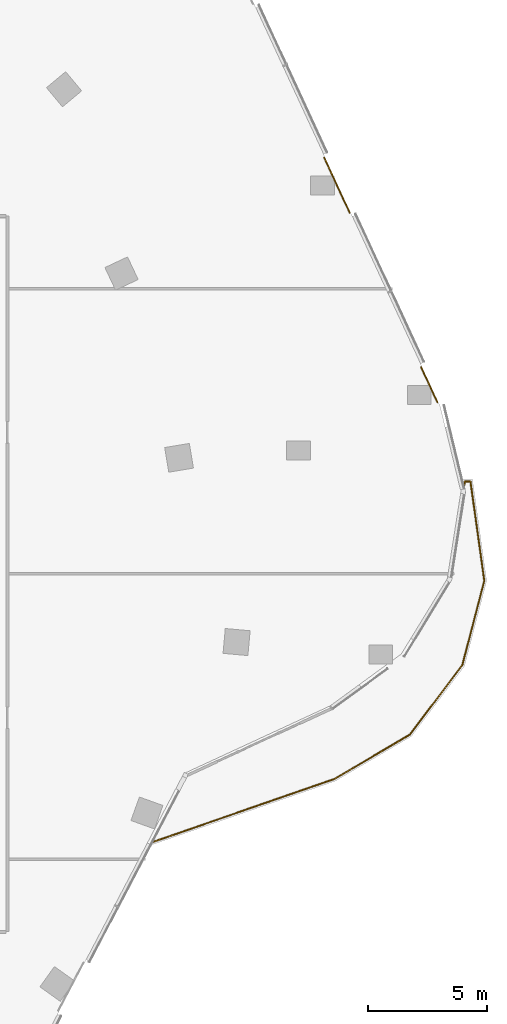
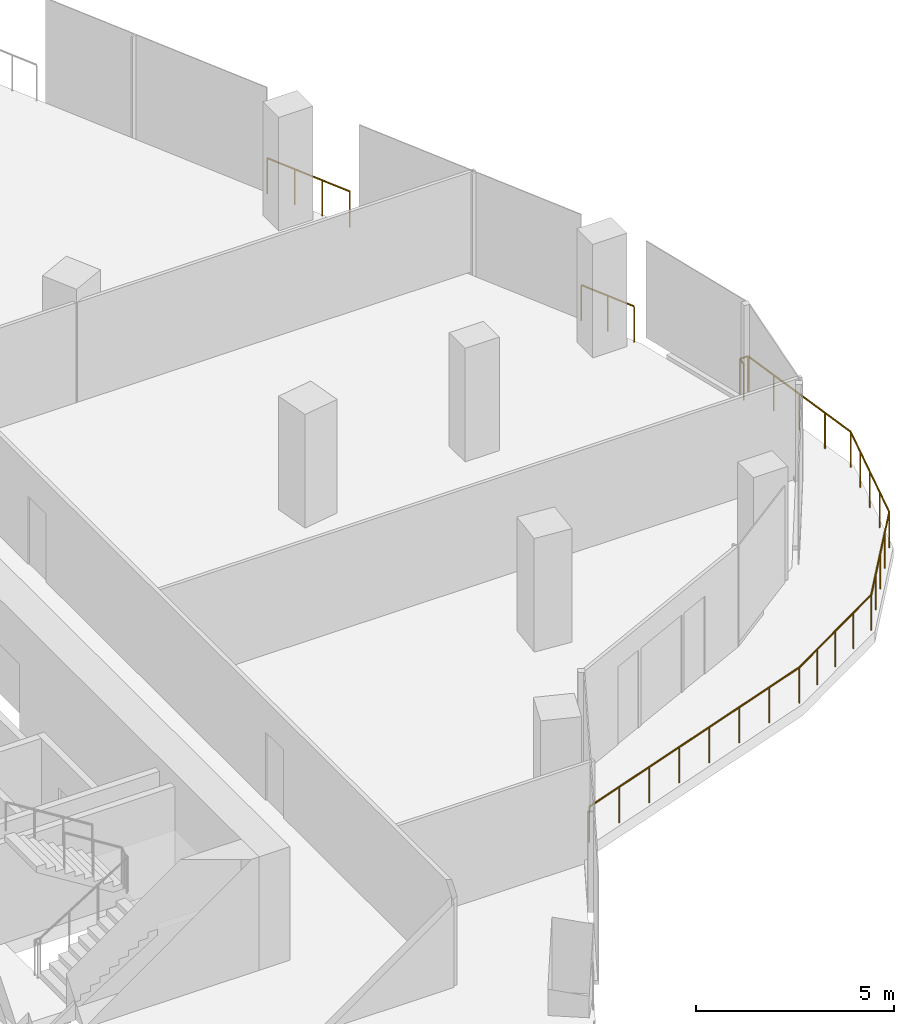
# One storey, part 25 of 26: 4 railings.
"""IFC4 building model written with IfcOpenShell, lengths in metres."""

import ifcopenshell
import ifcopenshell.guid

model = None  # the IFC model being written
_history = None  # IfcOwnerHistory: only IFC2X3 demands one
_inside = {}  # id of a spatial element -> (the spatial element, [elements in it])
_under = {}  # id of a project, library or spatial element -> (it, [spatial elements below it])
_declared = {}  # id of a project -> (the project, [libraries it declares])
_typed = {}  # id of a type object -> (the type object, [elements of that type])
_made_of = {}  # id of a material, layer set ... -> (it, [elements and type objects made of it])


def new_model(schema):
    """Start an empty IFC model of exactly this schema.

    Asked for "IFC4X3", IfcOpenShell would pick the latest addendum, in which some entities
    have other attributes; the version numbers below select the first issue.
    IFC2X3 requires an IfcOwnerHistory on every rooted entity: one is made here for all.
    """
    global model, _history
    if schema == "IFC4X3":
        model = ifcopenshell.file(schema_version=(4, 3, 0, 0))
    else:
        model = ifcopenshell.file(schema=schema)
    _inside.clear()
    _under.clear()
    _declared.clear()
    _typed.clear()
    _made_of.clear()
    _history = None
    if model.schema == "IFC2X3":
        org = make("IfcOrganization", Name="unknown")
        user = make(
            "IfcPersonAndOrganization",
            ThePerson=make("IfcPerson", FamilyName="unknown"),
            TheOrganization=org,
        )
        app = make(
            "IfcApplication",
            ApplicationDeveloper=org,
            Version="unknown",
            ApplicationFullName="unknown",
            ApplicationIdentifier="unknown",
        )
        _history = make(
            "IfcOwnerHistory",
            OwningUser=user,
            OwningApplication=app,
            ChangeAction="ADDED",
            CreationDate=0,
        )
    return model


def make(cls, **values):
    """One entity of the class cls with the attributes given. An attribute that is None is left unset."""
    return model.create_entity(
        cls, **{name: value for name, value in values.items() if value is not None}
    )


def rooted(cls, **values):
    """An entity with a GlobalId (a new one), such as an element, a storey or a relation."""
    return make(cls, GlobalId=ifcopenshell.guid.new(), OwnerHistory=_history, **values)


def si_unit(unit_type, name, prefix=None):
    """IfcSIUnit, for example si_unit("LENGTHUNIT", "METRE", prefix="MILLI")."""
    return make("IfcSIUnit", UnitType=unit_type, Prefix=prefix, Name=name)


def assignment(units):
    """IfcUnitAssignment: the units of a project."""
    return None if units is None else make("IfcUnitAssignment", Units=units)


def point(xyz):
    """IfcCartesianPoint."""
    return None if xyz is None else make("IfcCartesianPoint", Coordinates=xyz)


def direction(xyz):
    """IfcDirection."""
    return None if xyz is None else make("IfcDirection", DirectionRatios=xyz)


def frame(location, z_axis=None, x_axis=None):
    """IfcAxis2Placement3D, a coordinate frame: its origin and axes. An axis left out is left unset."""
    return make(
        "IfcAxis2Placement3D",
        Location=point(location),
        Axis=direction(z_axis),
        RefDirection=direction(x_axis),
    )


def frame_2d(location, x_axis=None):
    """IfcAxis2Placement2D, a coordinate frame in the plane: its origin and x axis."""
    return make(
        "IfcAxis2Placement2D", Location=point(location), RefDirection=direction(x_axis)
    )


def origin():
    """The frame at (0, 0, 0) with its axes left unset."""
    return frame((0.0, 0.0, 0.0))


def origin_2d():
    """The frame at (0, 0) in the plane with its x axis left unset."""
    return frame_2d((0.0, 0.0))


def place(relative_to, where):
    """IfcLocalPlacement: puts the frame where relative to a parent placement (None: the world)."""
    return make(
        "IfcLocalPlacement", PlacementRelTo=relative_to, RelativePlacement=where
    )


def context(
    kind, dimensions, precision=None, world=None, true_north=None, identifier=None
):
    """IfcGeometricRepresentationContext, for example the 3D "Model" context."""
    return make(
        "IfcGeometricRepresentationContext",
        ContextIdentifier=identifier,
        ContextType=kind,
        CoordinateSpaceDimension=dimensions,
        Precision=precision,
        WorldCoordinateSystem=world,
        TrueNorth=true_north,
    )


def subcontext(parent, identifier, kind, view, scale=None):
    """IfcGeometricRepresentationSubContext, for example "Body" below "Model"."""
    return make(
        "IfcGeometricRepresentationSubContext",
        ContextIdentifier=identifier,
        ContextType=kind,
        ParentContext=parent,
        TargetScale=scale,
        TargetView=view,
    )


def project(units=None, contexts=None):
    """IfcProject with its units and contexts."""
    return rooted(
        "IfcProject",
        Name="project",
        RepresentationContexts=contexts,
        UnitsInContext=assignment(units),
    )


def spatial(cls, under=None, at=None, **own):
    """A site, building, storey or space (cls), placed at a placement, below another one or the project."""
    s = rooted(cls, ObjectPlacement=at, **own)
    if under is not None:
        _under.setdefault(under.id(), (under, []))[1].append(s)
    return s


def profile(cls, at=None, kind="AREA", **sizes):
    """A parametric profile (cls). Its sizes go by their IFC names, for example OverallWidth=200.0."""
    return make(cls, ProfileType=kind, Position=at, **sizes)


def circle(**sizes):
    """IfcCircleProfileDef."""
    return profile("IfcCircleProfileDef", **sizes)


def extrude(swept, where, along, depth):
    """IfcExtrudedAreaSolid: the profile swept, set in the frame where, extruded along a direction by depth."""
    return make(
        "IfcExtrudedAreaSolid",
        SweptArea=swept,
        Position=where,
        ExtrudedDirection=direction(along),
        Depth=depth,
    )


def shape(context_of_items, identifier, shape_type, items):
    """IfcShapeRepresentation: the items that make up one representation, for example the "Body"."""
    return make(
        "IfcShapeRepresentation",
        ContextOfItems=context_of_items,
        RepresentationIdentifier=identifier,
        RepresentationType=shape_type,
        Items=items,
    )


def material(Name=None, Category=None):
    """IfcMaterial."""
    return make("IfcMaterial", Name=Name, Category=Category)


def made_of(thing, what):
    """Note that an element or type object is made of a material, layer set ...; save() writes the relation."""
    if what is not None:
        _made_of.setdefault(what.id(), (what, []))[1].append(thing)
    return thing


def type_object(cls, material=None, **own):
    """A type object (cls), such as IfcWallType, which elements share."""
    return made_of(rooted(cls, **own), material)


def element(
    cls,
    number,
    at=None,
    inside=None,
    cuts=None,
    type_object=None,
    material=None,
    context=None,
    identifier="Body",
    shape_type=None,
    held_by="IfcProductDefinitionShape",
    body=None,
    shapes=None,
    **own,
):
    """One element of the class cls, such as IfcWall. Its Tag is "e" and its number.

    at: its placement. inside: the storey or other place that contains it. cuts: it is an
    opening in that element (IfcRelVoidsElement). A single representation is given by context,
    identifier, shape_type and body (its items); several are given by shapes. held_by: the class
    of the entity that holds the representations. save() writes the other relations.
    """
    e = rooted(cls, Tag="e%d" % number, ObjectPlacement=at, **own)
    if body is not None:
        shapes = [shape(context, identifier, shape_type, body)]
    if shapes is not None:
        e.Representation = make(held_by, Representations=shapes)
    if inside is not None:
        _inside.setdefault(inside.id(), (inside, []))[1].append(e)
    if cuts is not None:
        rooted(
            "IfcRelVoidsElement", RelatingBuildingElement=cuts, RelatedOpeningElement=e
        )
    if type_object is not None:
        _typed.setdefault(type_object.id(), (type_object, []))[1].append(e)
    return made_of(e, material)


def aggregate(whole, parts):
    """IfcRelAggregates: a whole, such as a stair, and the parts it consists of."""
    return rooted("IfcRelAggregates", RelatingObject=whole, RelatedObjects=parts)


def save(model, path):
    """Write the relations noted so far, then the file.

    IfcRelAggregates (storeys below a building ...), IfcRelContainedInSpatialStructure (elements
    in a storey), IfcRelDefinesByType, IfcRelAssociatesMaterial and IfcRelDeclares: one each for
    every whole, place, type object, material and project.
    """
    for whole, parts in _under.values():
        aggregate(whole, parts)
    for where, things in _inside.values():
        rooted(
            "IfcRelContainedInSpatialStructure",
            RelatedElements=things,
            RelatingStructure=where,
        )
    for kind, things in _typed.values():
        rooted("IfcRelDefinesByType", RelatedObjects=things, RelatingType=kind)
    for what, things in _made_of.values():
        rooted("IfcRelAssociatesMaterial", RelatedObjects=things, RelatingMaterial=what)
    for by, libraries in _declared.values():
        rooted("IfcRelDeclares", RelatingContext=by, RelatedDefinitions=libraries)
    model.write(path)


model = new_model("IFC4")

# Units and contexts
model_context = context("Model", 3, precision=1e-05, world=origin(), true_north=direction((0.0, 1.0)))
body_context = subcontext(model_context, "Body", "Model", "MODEL_VIEW")
ifc_project = project(units=[si_unit("LENGTHUNIT", "METRE"), si_unit("AREAUNIT", "SQUARE_METRE"), si_unit("VOLUMEUNIT", "CUBIC_METRE"), si_unit("PLANEANGLEUNIT", "RADIAN"), si_unit("MASSUNIT", "GRAM", prefix="KILO")], contexts=[model_context])

# Site, building, storey
site_placement = place(None, origin())
site = spatial("IfcSite", under=ifc_project, at=site_placement, CompositionType="ELEMENT")
building_placement = place(site_placement, origin())
building = spatial("IfcBuilding", under=site, at=building_placement, Name="Orlundy Tower", CompositionType="ELEMENT")
storey_placement = place(building_placement, frame((0.0, 0.0, 253.5)))
storey = spatial("IfcBuildingStorey", under=building, at=storey_placement, Name="L67", CompositionType="ELEMENT", Elevation=253.5)

# Railings
ifc_material = material(Name="Stainless steel bronze finish", Category="steel")
railing_type = type_object("IfcRailingType", Name="TG1 terrace guard", PredefinedType="GUARDRAIL", material=ifc_material)
railing_1_placement = place(storey_placement, frame((35.37744140625, 17.509521484375, 0.0)))
element("IfcRailing", 1, at=railing_1_placement, inside=storey, type_object=railing_type, Name="Guard TG-L67-E13", PredefinedType="GUARDRAIL", context=body_context, shape_type="SweptSolid", body=[
    extrude(circle(Radius=0.02490234375, at=origin_2d()), frame((0.0, 0.0, 1.09521484375), z_axis=(0.419992256947, -0.90752768779, 0.0), x_axis=(0.90752768779, 0.419992256947, 0.0)), (0.0, 0.0, 1.0), 2.552001953125),
    extrude(circle(Radius=0.02001953125, at=origin_2d()), origin(), (0.0, 0.0, 1.0), 1.070068359375),
    extrude(circle(Radius=0.02001953125, at=origin_2d()), frame((0.357177734375, -0.77197265625, 0.0)), (0.0, 0.0, 1.0), 1.070068359375),
    extrude(circle(Radius=0.02001953125, at=origin_2d()), frame((0.714599609375, -1.5439453125, 0.0)), (0.0, 0.0, 1.0), 1.070068359375),
    extrude(circle(Radius=0.02001953125, at=origin_2d()), frame((1.07177734375, -2.31591796875, 0.0)), (0.0, 0.0, 1.0), 1.070068359375),
])
railing_2_placement = place(storey_placement, frame((39.794677734375, 7.964111328125, 0.0)))
element("IfcRailing", 2, at=railing_2_placement, inside=storey, type_object=railing_type, Name="Guard TG-L67-E16", PredefinedType="GUARDRAIL", context=body_context, shape_type="SweptSolid", body=[
    extrude(circle(Radius=0.02490234375, at=origin_2d()), frame((0.0, 0.0, 1.09521484375), z_axis=(0.419799104875, -0.907617051154, 0.0), x_axis=(0.907617051154, 0.419799104875, 0.0)), (0.0, 0.0, 1.0), 0.814697265625),
    extrude(circle(Radius=0.02001953125, at=origin_2d()), origin(), (0.0, 0.0, 1.0), 1.070068359375),
    extrude(circle(Radius=0.02001953125, at=origin_2d()), frame((0.342041015625, -0.739501953125, 0.0)), (0.0, 0.0, 1.0), 1.070068359375),
])
railing_3_placement = place(storey_placement, frame((39.452880859375, 8.7021484375, 0.0)))
element("IfcRailing", 3, at=railing_3_placement, inside=storey, type_object=railing_type, Name="Guard TG-L67-E111", PredefinedType="GUARDRAIL", context=body_context, shape_type="SweptSolid", body=[
    extrude(circle(Radius=0.02490234375, at=origin_2d()), frame((0.0, 0.0, 1.09521484375), z_axis=(0.420238004054, -0.907413918754, 0.0), x_axis=(0.907413918754, 0.420238004054, 0.0)), (0.0, 0.0, 1.0), 0.813232421875),
    extrude(circle(Radius=0.02001953125, at=origin_2d()), origin(), (0.0, 0.0, 1.0), 1.070068359375),
    extrude(circle(Radius=0.02001953125, at=origin_2d()), frame((0.341796875, -0.738037109375, 0.0)), (0.0, 0.0, 1.0), 1.070068359375),
])
railing_4_placement = place(storey_placement, frame((41.25341796875, 3.618896484375, 0.0)))
element("IfcRailing", 4, at=railing_4_placement, inside=storey, type_object=railing_type, Name="Guard TG-L67-00", PredefinedType="GUARDRAIL", context=body_context, shape_type="SweptSolid", body=[
    extrude(circle(Radius=0.02490234375, at=origin_2d()), frame((0.0, 0.0, 1.09521484375), z_axis=(0.154865572969, 0.987935551698, 0.0), x_axis=(-0.987935551698, 0.154865572969, 0.0)), (0.0, 0.0, 1.0), 0.2744140625),
    extrude(circle(Radius=0.02490234375, at=origin_2d()), frame((0.04248046875, 0.27099609375, 1.09521484375), z_axis=(0.999965207143, -0.008341732698, 0.0), x_axis=(0.008341732698, 0.999965207143, 0.0)), (0.0, 0.0, 1.0), 0.234130859375),
    extrude(circle(Radius=0.02490234375, at=origin_2d()), frame((0.276611328125, 0.26904296875, 1.09521484375), z_axis=(0.137844582973, -0.990453871185, 0.0), x_axis=(0.990453871185, 0.137844582973, 0.0)), (0.0, 0.0, 1.0), 4.21533203125),
    extrude(circle(Radius=0.02490234375, at=origin_2d()), frame((0.857666015625, -3.906005859375, 1.09521484375), z_axis=(-0.251736126458, -0.967795909599, 0.0), x_axis=(0.967795909599, -0.251736126458, 0.0)), (0.0, 0.0, 1.0), 3.6669921875),
    extrude(circle(Radius=0.02490234375, at=origin_2d()), frame((-0.0654296875, -7.454833984375, 1.09521484375), z_axis=(-0.603158896982, -0.797621053503, 0.0), x_axis=(0.797621053503, -0.603158896982, 0.0)), (0.0, 0.0, 1.0), 3.667236328125),
    extrude(circle(Radius=0.02490234375, at=origin_2d()), frame((-2.27734375, -10.3798828125, 1.09521484375), z_axis=(-0.862260083853, -0.506465741975, 0.0), x_axis=(0.506465741975, -0.862260083853, 0.0)), (0.0, 0.0, 1.0), 3.676513671875),
    extrude(circle(Radius=0.02490234375, at=origin_2d()), frame((-5.447509765625, -12.241943359375, 1.09521484375), z_axis=(-0.944615166737, -0.328180113307, 0.0), x_axis=(0.328180113307, -0.944615166737, 0.0)), (0.0, 0.0, 1.0), 8.12060546875),
    extrude(circle(Radius=0.02001953125, at=origin_2d()), origin(), (0.0, 0.0, 1.0), 1.070068359375),
    extrude(circle(Radius=0.02001953125, at=origin_2d()), frame((0.04248046875, 0.27099609375, 0.0)), (0.0, 0.0, 1.0), 1.070068359375),
    extrude(circle(Radius=0.02001953125, at=origin_2d()), frame((0.276611328125, 0.26904296875, 0.0)), (0.0, 0.0, 1.0), 1.070068359375),
    extrude(circle(Radius=0.02001953125, at=origin_2d()), frame((0.421875, -0.774658203125, 0.0)), (0.0, 0.0, 1.0), 1.070068359375),
    extrude(circle(Radius=0.02001953125, at=origin_2d()), frame((0.567138671875, -1.818359375, 0.0)), (0.0, 0.0, 1.0), 1.070068359375),
    extrude(circle(Radius=0.02001953125, at=origin_2d()), frame((0.71240234375, -2.8623046875, 0.0)), (0.0, 0.0, 1.0), 1.070068359375),
    extrude(circle(Radius=0.02001953125, at=origin_2d()), frame((0.857666015625, -3.906005859375, 0.0)), (0.0, 0.0, 1.0), 1.070068359375),
    extrude(circle(Radius=0.02001953125, at=origin_2d()), frame((0.626953125, -4.793212890625, 0.0)), (0.0, 0.0, 1.0), 1.070068359375),
    extrude(circle(Radius=0.02001953125, at=origin_2d()), frame((0.39599609375, -5.680419921875, 0.0)), (0.0, 0.0, 1.0), 1.070068359375),
    extrude(circle(Radius=0.02001953125, at=origin_2d()), frame((0.165283203125, -6.567626953125, 0.0)), (0.0, 0.0, 1.0), 1.070068359375),
    extrude(circle(Radius=0.02001953125, at=origin_2d()), frame((-0.0654296875, -7.454833984375, 0.0)), (0.0, 0.0, 1.0), 1.070068359375),
    extrude(circle(Radius=0.02001953125, at=origin_2d()), frame((-0.618408203125, -8.18603515625, 0.0)), (0.0, 0.0, 1.0), 1.070068359375),
    extrude(circle(Radius=0.02001953125, at=origin_2d()), frame((-1.17138671875, -8.91748046875, 0.0)), (0.0, 0.0, 1.0), 1.070068359375),
    extrude(circle(Radius=0.02001953125, at=origin_2d()), frame((-1.724365234375, -9.648681640625, 0.0)), (0.0, 0.0, 1.0), 1.070068359375),
    extrude(circle(Radius=0.02001953125, at=origin_2d()), frame((-2.27734375, -10.3798828125, 0.0)), (0.0, 0.0, 1.0), 1.070068359375),
    extrude(circle(Radius=0.02001953125, at=origin_2d()), frame((-3.06982421875, -10.845458984375, 0.0)), (0.0, 0.0, 1.0), 1.070068359375),
    extrude(circle(Radius=0.02001953125, at=origin_2d()), frame((-3.8623046875, -11.31103515625, 0.0)), (0.0, 0.0, 1.0), 1.070068359375),
    extrude(circle(Radius=0.02001953125, at=origin_2d()), frame((-4.655029296875, -11.7763671875, 0.0)), (0.0, 0.0, 1.0), 1.070068359375),
    extrude(circle(Radius=0.02001953125, at=origin_2d()), frame((-5.447509765625, -12.241943359375, 0.0)), (0.0, 0.0, 1.0), 1.070068359375),
    extrude(circle(Radius=0.02001953125, at=origin_2d()), frame((-6.54345703125, -12.62255859375, 0.0)), (0.0, 0.0, 1.0), 1.070068359375),
    extrude(circle(Radius=0.02001953125, at=origin_2d()), frame((-7.63916015625, -13.00341796875, 0.0)), (0.0, 0.0, 1.0), 1.070068359375),
    extrude(circle(Radius=0.02001953125, at=origin_2d()), frame((-8.735107421875, -13.384033203125, 0.0)), (0.0, 0.0, 1.0), 1.070068359375),
    extrude(circle(Radius=0.02001953125, at=origin_2d()), frame((-9.830810546875, -13.764892578125, 0.0)), (0.0, 0.0, 1.0), 1.070068359375),
    extrude(circle(Radius=0.02001953125, at=origin_2d()), frame((-10.9267578125, -14.1455078125, 0.0)), (0.0, 0.0, 1.0), 1.070068359375),
    extrude(circle(Radius=0.02001953125, at=origin_2d()), frame((-12.0224609375, -14.5263671875, 0.0)), (0.0, 0.0, 1.0), 1.070068359375),
    extrude(circle(Radius=0.02001953125, at=origin_2d()), frame((-13.118408203125, -14.906982421875, 0.0)), (0.0, 0.0, 1.0), 1.070068359375),
])

save(model, "model.ifc")
